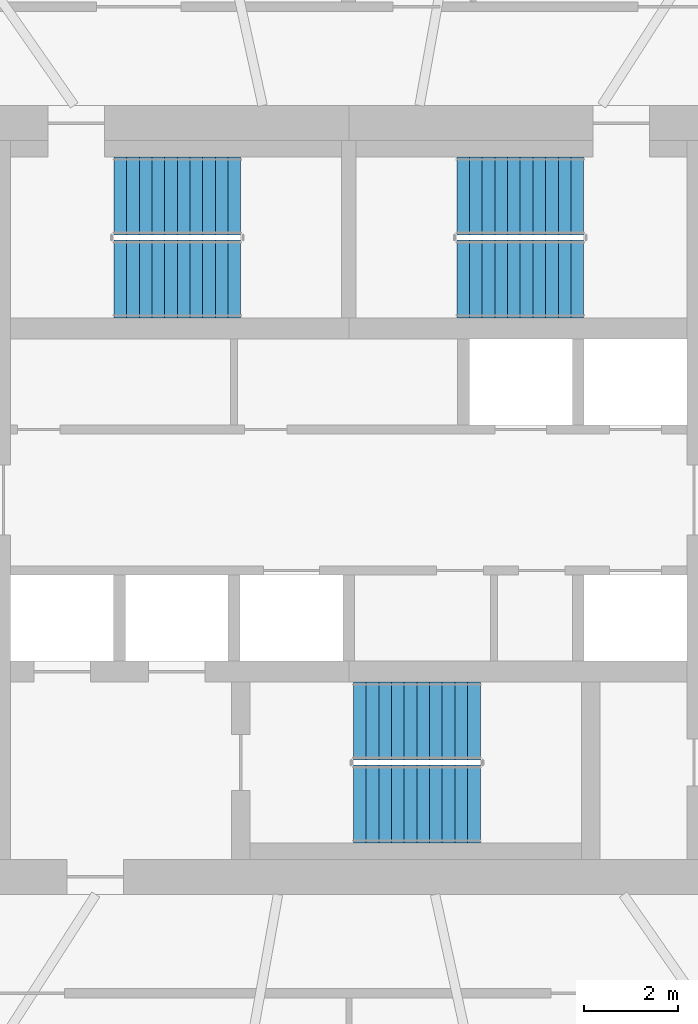
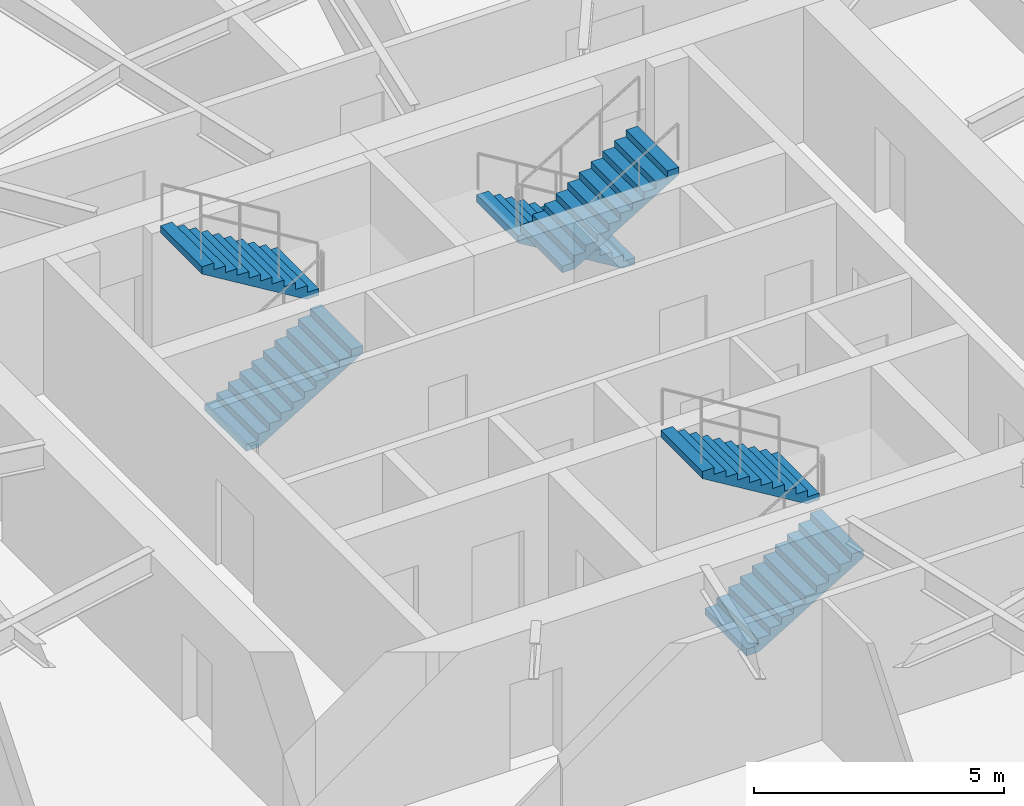
# One storey, part 11 of 14: 6 stair flights, 3 elements without a shape of their own.
"""IFC4 building model written with IfcOpenShell, lengths in metres."""

from ifc_helpers import new_model, si_unit, direction, frame, origin, place, context, subcontext, project, spatial, polyline, outline, extrude, material, type_object, element, aggregate, save


model = new_model("IFC4")

# Units and contexts
model_context = context("Model", 3, precision=1e-05, world=origin(), true_north=direction((0.0, 1.0)))
body_context = subcontext(model_context, "Body", "Model", "MODEL_VIEW")
ifc_project = project(units=[si_unit("LENGTHUNIT", "METRE"), si_unit("AREAUNIT", "SQUARE_METRE"), si_unit("VOLUMEUNIT", "CUBIC_METRE"), si_unit("PLANEANGLEUNIT", "RADIAN"), si_unit("MASSUNIT", "GRAM", prefix="KILO")], contexts=[model_context])

# Site, building, storey
site_placement = place(None, origin())
site = spatial("IfcSite", under=ifc_project, at=site_placement, CompositionType="ELEMENT")
building_placement = place(site_placement, origin())
building = spatial("IfcBuilding", under=site, at=building_placement, Name="Vermilion Reach Broadcast Tower", CompositionType="ELEMENT")
storey_placement = place(building_placement, frame((0.0, 0.0, 235.300048828125)))
storey = spatial("IfcBuildingStorey", under=building, at=storey_placement, Name="L58", CompositionType="ELEMENT", Elevation=235.300048828125)

# Stair, stair flights
ifc_material_1 = material(Name="Concrete C40", Category="concrete")
stair_type = type_object("IfcStairType", Name="Exit stair RC 22 risers 164 mm", PredefinedType="HALF_TURN_STAIR", material=ifc_material_1)
placement = place(storey_placement, origin())
stair_1 = element("IfcStair", 1, at=placement, inside=storey, type_object=stair_type, Name="L58 Exit stair ST1", PredefinedType="HALF_TURN_STAIR")
ifc_material_2 = material(Name="Concrete C40", Category="concrete")
stair_flight_type = type_object("IfcStairFlightType", Name="Exit stair flight RC 11 risers", PredefinedType="STRAIGHT", material=ifc_material_2)
stair_flight_1_placement = place(storey_placement, frame((-11.0, 4.7099609375, 0.0), z_axis=(0.0, 0.0, 1.0), x_axis=(1.0, 0.0, 0.0)))
stair_flight_1 = element("IfcStairFlight", 2, at=stair_flight_1_placement, type_object=stair_flight_type, Name="ST1 flight 1", NumberOfRisers=11, NumberOfTreads=10, PredefinedType="STRAIGHT", RiserHeight=0.163636364, TreadLength=0.27, context=body_context, shape_type="SweptSolid", body=[
    extrude(outline(polyline([(0.0, 0.0), (0.0, 0.16357421875), (0.27001953125, 0.16357421875), (0.27001953125, 0.327392578125), (0.5400390625, 0.327392578125), (0.5400390625, 0.490966796875), (0.81005859375, 0.490966796875), (0.81005859375, 0.654541015625), (1.080078125, 0.654541015625), (1.080078125, 0.818115234375), (1.35009765625, 0.818115234375), (1.35009765625, 0.98193359375), (1.6201171875, 0.98193359375), (1.6201171875, 1.1455078125), (1.889892578125, 1.1455078125), (1.889892578125, 1.30908203125), (2.159912109375, 1.30908203125), (2.159912109375, 1.47265625), (2.429931640625, 1.47265625), (2.429931640625, 1.636474609375), (2.699951171875, 1.636474609375), (2.699951171875, 1.800048828125), (2.699951171875, 1.461181640625), (0.289306640625, 0.0), (0.0, 0.0)])), frame((0.0, 0.830078125, 0.0), z_axis=(0.0, -1.0, 0.0), x_axis=(1.0, 0.0, 0.0)), (0.0, 0.0, 1.0), 1.659912109375),
])
stair_flight_2_placement = place(storey_placement, frame((-8.300048828125, 6.469970703125, 1.800048828125), z_axis=(0.0, 0.0, 1.0), x_axis=(-1.0, 0.0, 0.0)))
stair_flight_2 = element("IfcStairFlight", 3, at=stair_flight_2_placement, type_object=stair_flight_type, Name="ST1 flight 2", NumberOfRisers=11, NumberOfTreads=10, PredefinedType="STRAIGHT", RiserHeight=0.163636364, TreadLength=0.27, context=body_context, shape_type="SweptSolid", body=[
    extrude(outline(polyline([(0.0, 0.0), (0.0, 0.16357421875), (0.27001953125, 0.16357421875), (0.27001953125, 0.327392578125), (0.5400390625, 0.327392578125), (0.5400390625, 0.490966796875), (0.81005859375, 0.490966796875), (0.81005859375, 0.654541015625), (1.080078125, 0.654541015625), (1.080078125, 0.818115234375), (1.35009765625, 0.818115234375), (1.35009765625, 0.98193359375), (1.6201171875, 0.98193359375), (1.6201171875, 1.1455078125), (1.889892578125, 1.1455078125), (1.889892578125, 1.30908203125), (2.159912109375, 1.30908203125), (2.159912109375, 1.47265625), (2.429931640625, 1.47265625), (2.429931640625, 1.636474609375), (2.699951171875, 1.636474609375), (2.699951171875, 1.800048828125), (2.699951171875, 1.461181640625), (0.289306640625, 0.0), (0.0, 0.0)])), frame((0.0, 0.830078125, 0.0), z_axis=(0.0, -1.0, 0.0), x_axis=(1.0, 0.0, 0.0)), (0.0, 0.0, 1.0), 1.659912109375),
])
aggregate(stair_1, [stair_flight_1, stair_flight_2])

stair_2 = element("IfcStair", 4, at=placement, inside=storey, type_object=stair_type, Name="L58 Exit stair ST2", PredefinedType="HALF_TURN_STAIR")
stair_flight_3_placement = place(storey_placement, frame((-1.0, 6.469970703125, 0.0), z_axis=(0.0, 0.0, 1.0), x_axis=(-1.0, 0.0, 0.0)))
stair_flight_3 = element("IfcStairFlight", 5, at=stair_flight_3_placement, type_object=stair_flight_type, Name="ST2 flight 1", NumberOfRisers=11, NumberOfTreads=10, PredefinedType="STRAIGHT", RiserHeight=0.163636364, TreadLength=0.27, context=body_context, shape_type="SweptSolid", body=[
    extrude(outline(polyline([(0.0, 0.0), (0.0, 0.16357421875), (0.27001953125, 0.16357421875), (0.27001953125, 0.327392578125), (0.5400390625, 0.327392578125), (0.5400390625, 0.490966796875), (0.81005859375, 0.490966796875), (0.81005859375, 0.654541015625), (1.080078125, 0.654541015625), (1.080078125, 0.818115234375), (1.35009765625, 0.818115234375), (1.35009765625, 0.98193359375), (1.6201171875, 0.98193359375), (1.6201171875, 1.1455078125), (1.889892578125, 1.1455078125), (1.889892578125, 1.30908203125), (2.159912109375, 1.30908203125), (2.159912109375, 1.47265625), (2.429931640625, 1.47265625), (2.429931640625, 1.636474609375), (2.699951171875, 1.636474609375), (2.699951171875, 1.800048828125), (2.699951171875, 1.461181640625), (0.289306640625, 0.0), (0.0, 0.0)])), frame((0.0, 0.830078125, 0.0), z_axis=(0.0, -1.0, 0.0), x_axis=(1.0, 0.0, 0.0)), (0.0, 0.0, 1.0), 1.659912109375),
])
stair_flight_4_placement = place(storey_placement, frame((-3.699951171875, 4.7099609375, 1.800048828125), z_axis=(0.0, 0.0, 1.0), x_axis=(1.0, 0.0, 0.0)))
stair_flight_4 = element("IfcStairFlight", 6, at=stair_flight_4_placement, type_object=stair_flight_type, Name="ST2 flight 2", NumberOfRisers=11, NumberOfTreads=10, PredefinedType="STRAIGHT", RiserHeight=0.163636364, TreadLength=0.27, context=body_context, shape_type="SweptSolid", body=[
    extrude(outline(polyline([(0.0, 0.0), (0.0, 0.16357421875), (0.27001953125, 0.16357421875), (0.27001953125, 0.327392578125), (0.5400390625, 0.327392578125), (0.5400390625, 0.490966796875), (0.81005859375, 0.490966796875), (0.81005859375, 0.654541015625), (1.080078125, 0.654541015625), (1.080078125, 0.818115234375), (1.35009765625, 0.818115234375), (1.35009765625, 0.98193359375), (1.6201171875, 0.98193359375), (1.6201171875, 1.1455078125), (1.889892578125, 1.1455078125), (1.889892578125, 1.30908203125), (2.159912109375, 1.30908203125), (2.159912109375, 1.47265625), (2.429931640625, 1.47265625), (2.429931640625, 1.636474609375), (2.699951171875, 1.636474609375), (2.699951171875, 1.800048828125), (2.699951171875, 1.461181640625), (0.289306640625, 0.0), (0.0, 0.0)])), frame((0.0, 0.830078125, 0.0), z_axis=(0.0, -1.0, 0.0), x_axis=(1.0, 0.0, 0.0)), (0.0, 0.0, 1.0), 1.659912109375),
])
aggregate(stair_2, [stair_flight_3, stair_flight_4])

stair_3 = element("IfcStair", 7, at=placement, inside=storey, type_object=stair_type, Name="L58 Exit stair ST3", PredefinedType="HALF_TURN_STAIR")
stair_flight_5_placement = place(storey_placement, frame((-5.89990234375, -6.469970703125, 0.0), z_axis=(0.0, 0.0, 1.0), x_axis=(1.0, 0.0, 0.0)))
stair_flight_5 = element("IfcStairFlight", 8, at=stair_flight_5_placement, type_object=stair_flight_type, Name="ST3 flight 1", NumberOfRisers=11, NumberOfTreads=10, PredefinedType="STRAIGHT", RiserHeight=0.163636364, TreadLength=0.27, context=body_context, shape_type="SweptSolid", body=[
    extrude(outline(polyline([(0.0, 0.0), (0.0, 0.16357421875), (0.27001953125, 0.16357421875), (0.27001953125, 0.327392578125), (0.5400390625, 0.327392578125), (0.5400390625, 0.490966796875), (0.81005859375, 0.490966796875), (0.81005859375, 0.654541015625), (1.080078125, 0.654541015625), (1.080078125, 0.818115234375), (1.35009765625, 0.818115234375), (1.35009765625, 0.98193359375), (1.6201171875, 0.98193359375), (1.6201171875, 1.1455078125), (1.889892578125, 1.1455078125), (1.889892578125, 1.30908203125), (2.159912109375, 1.30908203125), (2.159912109375, 1.47265625), (2.429931640625, 1.47265625), (2.429931640625, 1.636474609375), (2.699951171875, 1.636474609375), (2.699951171875, 1.800048828125), (2.699951171875, 1.461181640625), (0.289306640625, 0.0), (0.0, 0.0)])), frame((0.0, 0.830078125, 0.0), z_axis=(0.0, -1.0, 0.0), x_axis=(1.0, 0.0, 0.0)), (0.0, 0.0, 1.0), 1.659912109375),
])
stair_flight_6_placement = place(storey_placement, frame((-3.199951171875, -4.7099609375, 1.800048828125), z_axis=(0.0, 0.0, 1.0), x_axis=(-1.0, 0.0, 0.0)))
stair_flight_6 = element("IfcStairFlight", 9, at=stair_flight_6_placement, type_object=stair_flight_type, Name="ST3 flight 2", NumberOfRisers=11, NumberOfTreads=10, PredefinedType="STRAIGHT", RiserHeight=0.163636364, TreadLength=0.27, context=body_context, shape_type="SweptSolid", body=[
    extrude(outline(polyline([(0.0, 0.0), (0.0, 0.16357421875), (0.27001953125, 0.16357421875), (0.27001953125, 0.327392578125), (0.5400390625, 0.327392578125), (0.5400390625, 0.490966796875), (0.81005859375, 0.490966796875), (0.81005859375, 0.654541015625), (1.080078125, 0.654541015625), (1.080078125, 0.818115234375), (1.35009765625, 0.818115234375), (1.35009765625, 0.98193359375), (1.6201171875, 0.98193359375), (1.6201171875, 1.1455078125), (1.889892578125, 1.1455078125), (1.889892578125, 1.30908203125), (2.159912109375, 1.30908203125), (2.159912109375, 1.47265625), (2.429931640625, 1.47265625), (2.429931640625, 1.636474609375), (2.699951171875, 1.636474609375), (2.699951171875, 1.800048828125), (2.699951171875, 1.461181640625), (0.289306640625, 0.0), (0.0, 0.0)])), frame((0.0, 0.830078125, 0.0), z_axis=(0.0, -1.0, 0.0), x_axis=(1.0, 0.0, 0.0)), (0.0, 0.0, 1.0), 1.659912109375),
])
aggregate(stair_3, [stair_flight_5, stair_flight_6])

save(model, "model.ifc")
